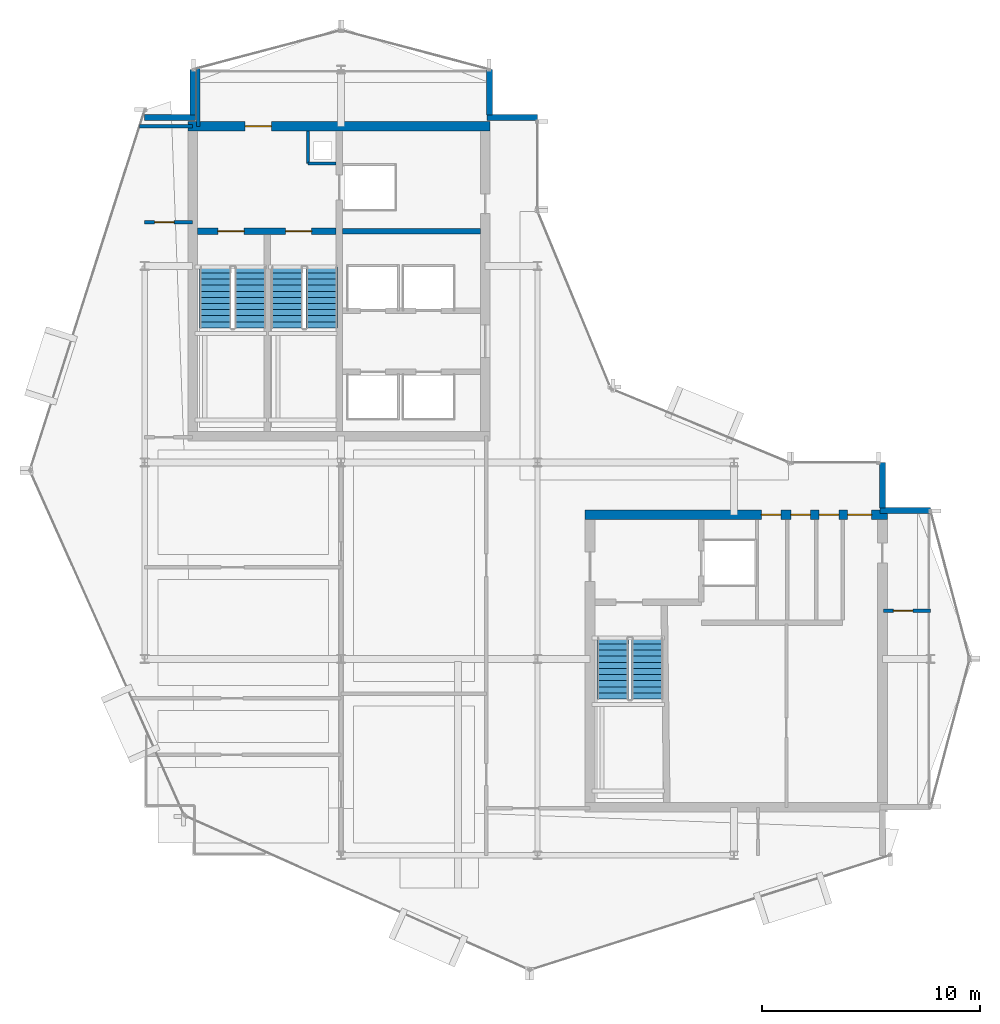
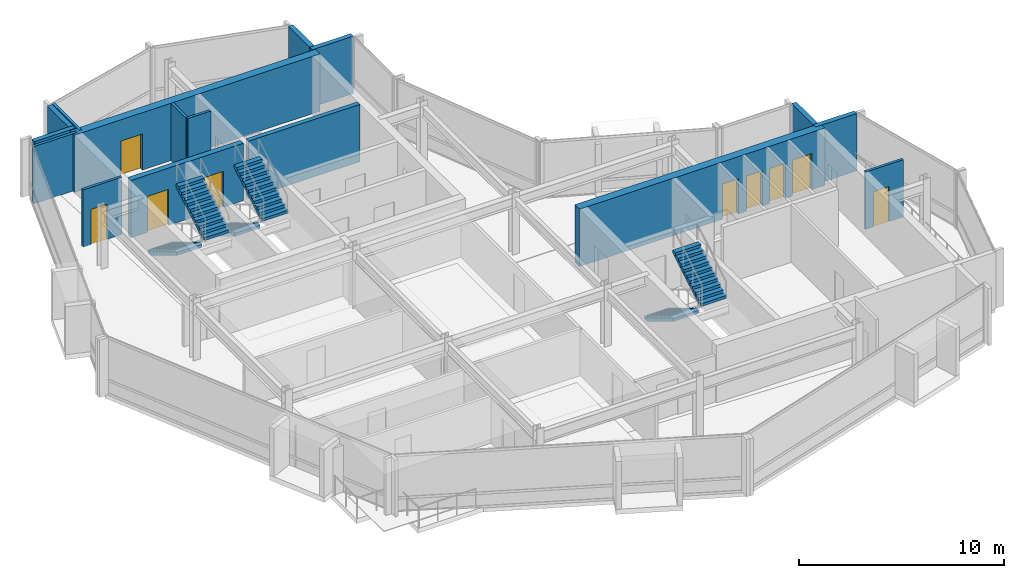
# One storey, part 15 of 19: 16 walls, 9 doors, 6 stair flights, 9 openings, 3 elements without a shape of their own.
"""IFC4 building model written with IfcOpenShell, lengths in metres."""

from ifc_helpers import new_model, si_unit, direction, frame, frame_2d, origin, place, context, subcontext, project, spatial, polyline, rectangle, outline, extrude, material, layer, layer_set, type_object, element, fill, aggregate, save


model = new_model("IFC4")

# Units and contexts
model_context = context("Model", 3, precision=1e-05, world=origin(), true_north=direction((0.0, 1.0)))
body_context = subcontext(model_context, "Body", "Model", "MODEL_VIEW")
ifc_project = project(units=[si_unit("LENGTHUNIT", "METRE"), si_unit("AREAUNIT", "SQUARE_METRE"), si_unit("VOLUMEUNIT", "CUBIC_METRE"), si_unit("PLANEANGLEUNIT", "RADIAN"), si_unit("MASSUNIT", "GRAM", prefix="KILO")], contexts=[model_context])

# Site, building, storey
site_placement = place(None, origin())
site = spatial("IfcSite", under=ifc_project, at=site_placement, CompositionType="ELEMENT")
building_placement = place(site_placement, origin())
building = spatial("IfcBuilding", under=site, at=building_placement, Name="Solvaryn Broadcast Tower", CompositionType="ELEMENT")
storey_placement = place(building_placement, frame((0.0, 0.0, 244.5)))
storey = spatial("IfcBuildingStorey", under=building, at=storey_placement, Name="L61", CompositionType="ELEMENT", Elevation=244.5)

# Wall, opening, door
ifc_material_1 = material(Name="Concrete f'c 70 MPa", Category="concrete")
ifc_layer_1 = layer(ifc_material_1, 0.449951171875)
ifc_layer_set_1 = layer_set([ifc_layer_1], Name="CW-SHEAR-450")
wall_type_1 = type_object("IfcWallType", Name="CW-SHEAR-450", PredefinedType="SHEAR", material=ifc_layer_set_1)
wall_1_placement = place(storey_placement, frame((24.824951171875, 42.39990234375, 0.0), z_axis=(0.0, 0.0, 1.0), x_axis=(-1.0, 0.0, 0.0)))
wall_1 = element("IfcWall", 1, at=wall_1_placement, inside=storey, type_object=wall_type_1, Name="L61 West Core North Shear Wall", PredefinedType="SHEAR", context=body_context, shape_type="SweptSolid", body=[
    extrude(rectangle(XDim=13.849853515625, YDim=0.449951171875, at=frame_2d((6.9248046875, 0.0))), origin(), (0.0, 0.0, 1.0), 3.419921875),
])
opening_1_placement = place(wall_1_placement, frame((10.02490234375, 0.0, 0.0)))
opening_1 = element("IfcOpeningElement", 2, at=opening_1_placement, cuts=wall_1, Name="Opening FD90A", PredefinedType="OPENING", context=body_context, shape_type="SweptSolid", body=[
    extrude(rectangle(XDim=1.199951171875, YDim=2.14990234375, at=frame_2d((0.60009765625, 1.074951171875))), frame((0.0, 0.235107421875, 0.0), z_axis=(0.0, -1.0, 0.0), x_axis=(1.0, 0.0, 0.0)), (0.0, 0.0, 1.0), 0.469970703125),
])
ifc_material_2 = material(Name="Flush Acoustic Steel and Timber Door Assembly", Category="steel")
door_type_1 = type_object("IfcDoorType", Name="FD90-STAIR-1200X2150", OperationType="NOTDEFINED", PredefinedType="DOOR", material=ifc_material_2)
door_1_placement = place(opening_1_placement, origin())
door_1 = element("IfcDoor", 3, at=door_1_placement, inside=storey, type_object=door_type_1, Name="L61 West FSAE Lobby Corridor Door", OperationType="SINGLE_SWING_LEFT", OverallHeight=2.14990234375, OverallWidth=1.199951171875, PredefinedType="DOOR", context=body_context, shape_type="SweptSolid", body=[
    extrude(rectangle(XDim=1.199951171875, YDim=2.14990234375, at=frame_2d((0.60009765625, 1.074951171875))), frame((0.0, 0.02490234375, 0.0), z_axis=(0.0, -1.0, 0.0), x_axis=(1.0, 0.0, 0.0)), (0.0, 0.0, 1.0), 0.050048828125),
])
fill(opening_1, door_1)

# Wall, openings, doors
wall_2_placement = place(storey_placement, frame((43.02490234375, 24.60009765625, 0.0), z_axis=(0.0, 0.0, 1.0), x_axis=(-1.0, 0.0, 0.0)))
wall_2 = element("IfcWall", 4, at=wall_2_placement, inside=storey, type_object=wall_type_1, Name="L61 East Core North Shear Wall", PredefinedType="SHEAR", context=body_context, shape_type="SweptSolid", body=[
    extrude(rectangle(XDim=13.849853515625, YDim=0.449951171875, at=frame_2d((6.9248046875, 0.0))), origin(), (0.0, 0.0, 1.0), 3.419921875),
])
opening_2_placement = place(wall_2_placement, frame((0.72509765625, 0.0, 0.0)))
opening_2 = element("IfcOpeningElement", 5, at=opening_2_placement, cuts=wall_2, Name="Opening FD90C", PredefinedType="OPENING", context=body_context, shape_type="SweptSolid", body=[
    extrude(rectangle(XDim=1.10009765625, YDim=2.14990234375, at=frame_2d((0.550048828125, 1.074951171875))), frame((0.0, 0.235107421875, 0.0), z_axis=(0.0, -1.0, 0.0), x_axis=(1.0, 0.0, 0.0)), (0.0, 0.0, 1.0), 0.469970703125),
])
opening_3_placement = place(wall_2_placement, frame((2.22509765625, 0.0, 0.0)))
opening_3 = element("IfcOpeningElement", 6, at=opening_3_placement, cuts=wall_2, Name="Opening FD60C", PredefinedType="OPENING", context=body_context, shape_type="SweptSolid", body=[
    extrude(rectangle(XDim=0.89990234375, YDim=2.10009765625, at=frame_2d((0.449951171875, 1.050048828125))), frame((0.0, 0.235107421875, 0.0), z_axis=(0.0, -1.0, 0.0), x_axis=(1.0, 0.0, 0.0)), (0.0, 0.0, 1.0), 0.469970703125),
])
opening_4_placement = place(wall_2_placement, frame((3.52490234375, 0.0, 0.0)))
opening_4 = element("IfcOpeningElement", 7, at=opening_4_placement, cuts=wall_2, Name="Opening FD60C", PredefinedType="OPENING", context=body_context, shape_type="SweptSolid", body=[
    extrude(rectangle(XDim=0.89990234375, YDim=2.10009765625, at=frame_2d((0.449951171875, 1.050048828125))), frame((0.0, 0.235107421875, 0.0), z_axis=(0.0, -1.0, 0.0), x_axis=(1.0, 0.0, 0.0)), (0.0, 0.0, 1.0), 0.469970703125),
])
opening_5_placement = place(wall_2_placement, frame((4.875, 0.0, 0.0)))
opening_5 = element("IfcOpeningElement", 8, at=opening_5_placement, cuts=wall_2, Name="Opening FD60C", PredefinedType="OPENING", context=body_context, shape_type="SweptSolid", body=[
    extrude(rectangle(XDim=0.89990234375, YDim=2.10009765625, at=frame_2d((0.449951171875, 1.050048828125))), frame((0.0, 0.235107421875, 0.0), z_axis=(0.0, -1.0, 0.0), x_axis=(1.0, 0.0, 0.0)), (0.0, 0.0, 1.0), 0.469970703125),
])
ifc_material_3 = material(Name="Flush Acoustic Steel and Timber Door Assembly", Category="steel")
door_type_2 = type_object("IfcDoorType", Name="FD60-SERV-900X2100", OperationType="NOTDEFINED", PredefinedType="DOOR", material=ifc_material_3)
door_2_placement = place(opening_3_placement, origin())
door_2 = element("IfcDoor", 9, at=door_2_placement, inside=storey, type_object=door_type_2, Name="L61 Core Wellness Room Door", OperationType="SINGLE_SWING_RIGHT", OverallHeight=2.10009765625, OverallWidth=0.89990234375, PredefinedType="DOOR", context=body_context, shape_type="SweptSolid", body=[
    extrude(rectangle(XDim=0.89990234375, YDim=2.10009765625, at=frame_2d((0.449951171875, 1.050048828125))), frame((0.0, 0.02490234375, 0.0), z_axis=(0.0, -1.0, 0.0), x_axis=(1.0, 0.0, 0.0)), (0.0, 0.0, 1.0), 0.050048828125),
])
fill(opening_3, door_2)
door_3_placement = place(opening_4_placement, origin())
door_3 = element("IfcDoor", 10, at=door_3_placement, inside=storey, type_object=door_type_2, Name="L61 Staff Restroom Door", OperationType="SINGLE_SWING_LEFT", OverallHeight=2.10009765625, OverallWidth=0.89990234375, PredefinedType="DOOR", context=body_context, shape_type="SweptSolid", body=[
    extrude(rectangle(XDim=0.89990234375, YDim=2.10009765625, at=frame_2d((0.449951171875, 1.050048828125))), frame((0.0, 0.02490234375, 0.0), z_axis=(0.0, -1.0, 0.0), x_axis=(1.0, 0.0, 0.0)), (0.0, 0.0, 1.0), 0.050048828125),
])
fill(opening_4, door_3)
door_4_placement = place(opening_5_placement, origin())
door_4 = element("IfcDoor", 11, at=door_4_placement, inside=storey, type_object=door_type_2, Name="L61 Accessible WC Door", OperationType="SINGLE_SWING_RIGHT", OverallHeight=2.10009765625, OverallWidth=0.89990234375, PredefinedType="DOOR", context=body_context, shape_type="SweptSolid", body=[
    extrude(rectangle(XDim=0.89990234375, YDim=2.10009765625, at=frame_2d((0.449951171875, 1.050048828125))), frame((0.0, 0.02490234375, 0.0), z_axis=(0.0, -1.0, 0.0), x_axis=(1.0, 0.0, 0.0)), (0.0, 0.0, 1.0), 0.050048828125),
])
fill(opening_5, door_4)
ifc_material_4 = material(Name="Flush Acoustic Steel and Timber Door Assembly", Category="steel")
door_type_3 = type_object("IfcDoorType", Name="FD90-PLANT-1100X2150", OperationType="NOTDEFINED", PredefinedType="DOOR", material=ifc_material_4)
door_5_placement = place(opening_2_placement, origin())
door_5 = element("IfcDoor", 12, at=door_5_placement, inside=storey, type_object=door_type_3, Name="L61 East Core Lobby Corridor Door", OperationType="SINGLE_SWING_LEFT", OverallHeight=2.14990234375, OverallWidth=1.10009765625, PredefinedType="DOOR", context=body_context, shape_type="SweptSolid", body=[
    extrude(rectangle(XDim=1.10009765625, YDim=2.14990234375, at=frame_2d((0.550048828125, 1.074951171875))), frame((0.0, 0.02490234375, 0.0), z_axis=(0.0, -1.0, 0.0), x_axis=(1.0, 0.0, 0.0)), (0.0, 0.0, 1.0), 0.050048828125),
])
fill(opening_2, door_5)

# Walls
ifc_material_5 = material(Name="Concrete f'c 50 MPa", Category="concrete")
ifc_layer_2 = layer(ifc_material_5, 0.260009765625)
ifc_layer_set_2 = layer_set([ifc_layer_2], Name="EW-PIER-260")
wall_type_2 = type_object("IfcWallType", Name="EW-PIER-260", PredefinedType="SOLIDWALL", material=ifc_layer_set_2)
wall_3_placement = place(storey_placement, frame((9.0, 42.800048828125, 0.0), z_axis=(0.0, 0.0, 1.0), x_axis=(1.0, 0.0, 0.0)))
element("IfcWall", 13, at=wall_3_placement, inside=storey, type_object=wall_type_2, Name="L61 Notched Corner Pier Wall NNW1", PredefinedType="SOLIDWALL", context=body_context, shape_type="SweptSolid", body=[
    extrude(rectangle(XDim=2.320068359375, YDim=0.260009765625, at=frame_2d((1.16015625, 0.0))), origin(), (0.0, 0.0, 1.0), 3.419921875),
])
for number, where, z_axis, x_axis, name in (
    (14, (11.199951171875, 42.919921875, 0.0), (0.0, 0.0, 1.0), (0.0, 1.0, 0.0), "L61 Notched Corner Pier Wall NNW2"),
    (15, (24.800048828125, 45.0, 0.0), (0.0, 0.0, 1.0), (0.0, -1.0, 0.0), "L61 Notched Corner Pier Wall NNE1"),
):
    element("IfcWall", number, at=place(storey_placement, frame(where, z_axis=z_axis, x_axis=x_axis)), inside=storey, type_object=wall_type_2, Name=name, PredefinedType="SOLIDWALL", context=body_context, shape_type="SweptSolid", body=[
        extrude(rectangle(XDim=2.080078125, YDim=0.260009765625, at=frame_2d((1.0400390625, 0.0))), origin(), (0.0, 0.0, 1.0), 3.419921875),
    ])
for number, where, z_axis, x_axis, name in (
    (16, (24.679931640625, 42.800048828125, 0.0), (0.0, 0.0, 1.0), (1.0, 0.0, 0.0), "L61 Notched Corner Pier Wall NNE2"),
    (17, (45.0, 24.800048828125, 0.0), (0.0, 0.0, 1.0), (-1.0, 0.0, 0.0), "L61 Notched Corner Pier Wall NEE1"),
):
    element("IfcWall", number, at=place(storey_placement, frame(where, z_axis=z_axis, x_axis=x_axis)), inside=storey, type_object=wall_type_2, Name=name, PredefinedType="SOLIDWALL", context=body_context, shape_type="SweptSolid", body=[
        extrude(rectangle(XDim=2.320068359375, YDim=0.260009765625, at=frame_2d((1.16015625, 0.0))), origin(), (0.0, 0.0, 1.0), 3.419921875),
    ])
wall_4_placement = place(storey_placement, frame((42.800048828125, 24.919921875, 0.0), z_axis=(0.0, 0.0, 1.0), x_axis=(0.0, 1.0, 0.0)))
element("IfcWall", 18, at=wall_4_placement, inside=storey, type_object=wall_type_2, Name="L61 Notched Corner Pier Wall NEE2", PredefinedType="SOLIDWALL", context=body_context, shape_type="SweptSolid", body=[
    extrude(rectangle(XDim=2.080078125, YDim=0.260009765625, at=frame_2d((1.0400390625, 0.0))), origin(), (0.0, 0.0, 1.0), 3.419921875),
])
ifc_material_6 = material(Name="Metal-Stud Service Core Partition")
ifc_layer_3 = layer(ifc_material_6, 0.14990234375)
ifc_layer_set_3 = layer_set([ifc_layer_3], Name="IW-PART-150")
wall_type_3 = type_object("IfcWallType", Name="IW-PART-150", PredefinedType="PARTITIONING", material=ifc_layer_set_3)
wall_5_placement = place(storey_placement, frame((16.47998046875, 40.699951171875, 0.0), z_axis=(0.0, 0.0, 1.0), x_axis=(1.0, 0.0, 0.0)))
element("IfcWall", 19, at=wall_5_placement, inside=storey, type_object=wall_type_3, Name="L61 West Core Riser Shaft South Wall", PredefinedType="PARTITIONING", context=body_context, shape_type="SweptSolid", body=[
    extrude(rectangle(XDim=1.2900390625, YDim=0.14990234375, at=frame_2d((0.64501953125, 0.0))), origin(), (0.0, 0.0, 1.0), 3.419921875),
])
wall_6_placement = place(storey_placement, frame((16.47998046875, 40.699951171875, 0.0), z_axis=(0.0, 0.0, 1.0), x_axis=(0.0, 1.0, 0.0)))
element("IfcWall", 20, at=wall_6_placement, inside=storey, type_object=wall_type_3, Name="L61 West Core Riser Shaft West Wall", PredefinedType="PARTITIONING", context=body_context, shape_type="SweptSolid", body=[
    extrude(rectangle(XDim=1.47509765625, YDim=0.14990234375, at=frame_2d((0.737548828125, 0.0))), origin(), (0.0, 0.0, 1.0), 3.419921875),
])

# Wall, opening, door
wall_7_placement = place(storey_placement, frame((9.0, 38.0, 0.0), z_axis=(0.0, 0.0, 1.0), x_axis=(1.0, 0.0, 0.0)))
wall_7 = element("IfcWall", 21, at=wall_7_placement, inside=storey, type_object=wall_type_3, Name="L61 Interior Partition IW-L61-WM-M", PredefinedType="PARTITIONING", context=body_context, shape_type="SweptSolid", body=[
    extrude(rectangle(XDim=2.199951171875, YDim=0.14990234375, at=frame_2d((1.10009765625, 0.0))), origin(), (0.0, 0.0, 1.0), 3.419921875),
])
opening_6_placement = place(wall_7_placement, frame((0.449951171875, 0.0, 0.0)))
opening_6 = element("IfcOpeningElement", 22, at=opening_6_placement, cuts=wall_7, Name="Opening FD60C", PredefinedType="OPENING", context=body_context, shape_type="SweptSolid", body=[
    extrude(rectangle(XDim=0.89990234375, YDim=2.10009765625, at=frame_2d((0.449951171875, 1.050048828125))), frame((0.0, 0.0849609375, 0.0), z_axis=(0.0, -1.0, 0.0), x_axis=(1.0, 0.0, 0.0)), (0.0, 0.0, 1.0), 0.169921875),
])
door_6_placement = place(opening_6_placement, origin())
door_6 = element("IfcDoor", 23, at=door_6_placement, inside=storey, type_object=door_type_2, Name="L61 Door DR-L61-WM1", OperationType="SINGLE_SWING_RIGHT", OverallHeight=2.10009765625, OverallWidth=0.89990234375, PredefinedType="DOOR", context=body_context, shape_type="SweptSolid", body=[
    extrude(rectangle(XDim=0.89990234375, YDim=2.10009765625, at=frame_2d((0.449951171875, 1.050048828125))), frame((0.0, 0.02490234375, 0.0), z_axis=(0.0, -1.0, 0.0), x_axis=(1.0, 0.0, 0.0)), (0.0, 0.0, 1.0), 0.050048828125),
])
fill(opening_6, door_6)

wall_8_placement = place(storey_placement, frame((42.85009765625, 20.199951171875, 0.0), z_axis=(0.0, 0.0, 1.0), x_axis=(1.0, 0.0, 0.0)))
wall_8 = element("IfcWall", 24, at=wall_8_placement, inside=storey, type_object=wall_type_3, Name="L61 Interior Partition IW-L61-E4M", PredefinedType="PARTITIONING", context=body_context, shape_type="SweptSolid", body=[
    extrude(rectangle(XDim=2.14990234375, YDim=0.14990234375, at=frame_2d((1.074951171875, 0.0))), origin(), (0.0, 0.0, 1.0), 3.419921875),
])
opening_7_placement = place(wall_8_placement, frame((0.449951171875, 0.0, 0.0)))
opening_7 = element("IfcOpeningElement", 25, at=opening_7_placement, cuts=wall_8, Name="Opening FD60C", PredefinedType="OPENING", context=body_context, shape_type="SweptSolid", body=[
    extrude(rectangle(XDim=0.89990234375, YDim=2.10009765625, at=frame_2d((0.449951171875, 1.050048828125))), frame((0.0, 0.0849609375, 0.0), z_axis=(0.0, -1.0, 0.0), x_axis=(1.0, 0.0, 0.0)), (0.0, 0.0, 1.0), 0.169921875),
])
door_7_placement = place(opening_7_placement, origin())
door_7 = element("IfcDoor", 26, at=door_7_placement, inside=storey, type_object=door_type_2, Name="L61 Door DR-L61-E4M", OperationType="SINGLE_SWING_RIGHT", OverallHeight=2.10009765625, OverallWidth=0.89990234375, PredefinedType="DOOR", context=body_context, shape_type="SweptSolid", body=[
    extrude(rectangle(XDim=0.89990234375, YDim=2.10009765625, at=frame_2d((0.449951171875, 1.050048828125))), frame((0.0, 0.02490234375, 0.0), z_axis=(0.0, -1.0, 0.0), x_axis=(1.0, 0.0, 0.0)), (0.0, 0.0, 1.0), 0.050048828125),
])
fill(opening_7, door_7)

# Walls
ifc_material_7 = material(Name="Metal-Stud Gypsum Office Partition")
ifc_layer_4 = layer(ifc_material_7, 0.159912109375)
ifc_layer_set_4 = layer_set([ifc_layer_4], Name="IW-PART-160")
wall_type_4 = type_object("IfcWallType", Name="IW-PART-160", PredefinedType="PARTITIONING", material=ifc_layer_set_4)
wall_9_placement = place(storey_placement, frame((8.760986328125, 42.39990234375, 0.0), z_axis=(0.0, 0.0, 1.0), x_axis=(1.0, 0.0, 0.0)))
element("IfcWall", 27, at=wall_9_placement, inside=storey, type_object=wall_type_4, Name="L61 Interior Partition IW-L61-WM-N", PredefinedType="PARTITIONING", context=body_context, shape_type="SweptSolid", body=[
    extrude(rectangle(XDim=2.43896484375, YDim=0.159912109375, at=frame_2d((1.219482421875, 0.0))), origin(), (0.0, 0.0, 1.0), 3.419921875),
])
wall_10_placement = place(storey_placement, frame((11.449951171875, 42.39990234375, 0.0), z_axis=(0.0, 0.0, 1.0), x_axis=(0.0, 1.0, 0.0)))
element("IfcWall", 28, at=wall_10_placement, inside=storey, type_object=wall_type_4, Name="L61 Interior Partition IW-L61-WM-E", PredefinedType="PARTITIONING", context=body_context, shape_type="SweptSolid", body=[
    extrude(rectangle(XDim=2.666015625, YDim=0.159912109375, at=frame_2d((1.3330078125, 0.0))), origin(), (0.0, 0.0, 1.0), 3.419921875),
])
ifc_material_8 = material(Name="Concrete f'c 60 MPa", Category="concrete")
ifc_layer_5 = layer(ifc_material_8, 0.25)
ifc_layer_set_5 = layer_set([ifc_layer_5], Name="SW-SHAFT-250")
wall_type_5 = type_object("IfcWallType", Name="SW-SHAFT-250", PredefinedType="PARTITIONING", material=ifc_layer_set_5)
wall_11_placement = place(storey_placement, frame((18.070068359375, 37.60009765625, 0.0), z_axis=(0.0, 0.0, 1.0), x_axis=(1.0, 0.0, 0.0)))
element("IfcWall", 29, at=wall_11_placement, inside=storey, type_object=wall_type_5, Name="L61 West Core FSAE Hoistway Front Wall", PredefinedType="PARTITIONING", context=body_context, shape_type="SweptSolid", body=[
    extrude(rectangle(XDim=6.304931640625, YDim=0.25, at=frame_2d((3.15234375, 0.0))), origin(), (0.0, 0.0, 1.0), 3.419921875),
])

# Wall, openings, doors
ifc_material_9 = material(Name="Concrete f'c 70 MPa", Category="concrete")
ifc_layer_6 = layer(ifc_material_9, 0.300048828125)
ifc_layer_set_6 = layer_set([ifc_layer_6], Name="SW-SHAFT-300")
wall_type_6 = type_object("IfcWallType", Name="SW-SHAFT-300", PredefinedType="SHEAR", material=ifc_layer_set_6)
wall_12_placement = place(storey_placement, frame((17.77001953125, 37.60009765625, 0.0), z_axis=(0.0, 0.0, 1.0), x_axis=(-1.0, 0.0, 0.0)))
wall_12 = element("IfcWall", 30, at=wall_12_placement, inside=storey, type_object=wall_type_6, Name="L61 West Core FSAE Lobby South Wall", PredefinedType="SHEAR", context=body_context, shape_type="SweptSolid", body=[
    extrude(rectangle(XDim=6.344970703125, YDim=0.300048828125, at=frame_2d((3.17236328125, 0.0))), origin(), (0.0, 0.0, 1.0), 3.419921875),
])
opening_8_placement = place(wall_12_placement, frame((4.219970703125, 0.0, 0.0)))
opening_8 = element("IfcOpeningElement", 31, at=opening_8_placement, cuts=wall_12, Name="Opening FD90A", PredefinedType="OPENING", context=body_context, shape_type="SweptSolid", body=[
    extrude(rectangle(XDim=1.199951171875, YDim=2.14990234375, at=frame_2d((0.60009765625, 1.074951171875))), frame((0.0, 0.159912109375, 0.0), z_axis=(0.0, -1.0, 0.0), x_axis=(1.0, 0.0, 0.0)), (0.0, 0.0, 1.0), 0.320068359375),
])
opening_9_placement = place(wall_12_placement, frame((1.1201171875, 0.0, 0.0)))
opening_9 = element("IfcOpeningElement", 32, at=opening_9_placement, cuts=wall_12, Name="Opening FD90A", PredefinedType="OPENING", context=body_context, shape_type="SweptSolid", body=[
    extrude(rectangle(XDim=1.199951171875, YDim=2.14990234375, at=frame_2d((0.60009765625, 1.074951171875))), frame((0.0, 0.159912109375, 0.0), z_axis=(0.0, -1.0, 0.0), x_axis=(1.0, 0.0, 0.0)), (0.0, 0.0, 1.0), 0.320068359375),
])
door_8_placement = place(opening_8_placement, origin())
door_8 = element("IfcDoor", 33, at=door_8_placement, inside=storey, type_object=door_type_1, Name="L61 Stair 1 Fire Door", OperationType="SINGLE_SWING_LEFT", OverallHeight=2.14990234375, OverallWidth=1.199951171875, PredefinedType="DOOR", context=body_context, shape_type="SweptSolid", body=[
    extrude(rectangle(XDim=1.199951171875, YDim=2.14990234375, at=frame_2d((0.60009765625, 1.074951171875))), frame((0.0, 0.02490234375, 0.0), z_axis=(0.0, -1.0, 0.0), x_axis=(1.0, 0.0, 0.0)), (0.0, 0.0, 1.0), 0.050048828125),
])
fill(opening_8, door_8)
door_9_placement = place(opening_9_placement, origin())
door_9 = element("IfcDoor", 34, at=door_9_placement, inside=storey, type_object=door_type_1, Name="L61 Stair 2 Fire Door", OperationType="SINGLE_SWING_RIGHT", OverallHeight=2.14990234375, OverallWidth=1.199951171875, PredefinedType="DOOR", context=body_context, shape_type="SweptSolid", body=[
    extrude(rectangle(XDim=1.199951171875, YDim=2.14990234375, at=frame_2d((0.60009765625, 1.074951171875))), frame((0.0, 0.02490234375, 0.0), z_axis=(0.0, -1.0, 0.0), x_axis=(1.0, 0.0, 0.0)), (0.0, 0.0, 1.0), 0.050048828125),
])
fill(opening_9, door_9)

# Stair, stair flights
ifc_material_10 = material(Name="Concrete f'c 60 MPa", Category="concrete")
stair_type = type_object("IfcStairType", Name="ST-CORE", PredefinedType="HALF_TURN_STAIR", material=ifc_material_10)
stair_1_placement = place(storey_placement, origin())
stair_1 = element("IfcStair", 35, at=stair_1_placement, inside=storey, type_object=stair_type, Name="L61 ST1", PredefinedType="HALF_TURN_STAIR")
ifc_material_11 = material(Name="Concrete f'c 60 MPa", Category="concrete")
ifc_layer_7 = layer(ifc_material_11, 0.159912109375)
ifc_layer_set_7 = layer_set([ifc_layer_7], Name="SF-CORE")
stair_flight_type = type_object("IfcStairFlightType", Name="SF-CORE", PredefinedType="STRAIGHT", material=ifc_layer_set_7)
stair_flight_1_placement = place(storey_placement, frame((12.239990234375, 35.9599609375, 0.0), z_axis=(0.0, 0.0, 1.0), x_axis=(0.0, -1.0, 0.0)))
stair_flight_1 = element("IfcStairFlight", 36, at=stair_flight_1_placement, type_object=stair_flight_type, Name="ST1 flight 1", NumberOfRisers=11, NumberOfTreads=10, PredefinedType="STRAIGHT", RiserHeight=0.168181818, TreadLength=0.28, context=body_context, shape_type="SweptSolid", body=[
    extrude(outline(polyline([(0.0, 0.0), (0.0, 0.168212890625), (0.280029296875, 0.168212890625), (0.280029296875, 0.33642578125), (0.56005859375, 0.33642578125), (0.56005859375, 0.504638671875), (0.840087890625, 0.504638671875), (0.840087890625, 0.672607421875), (1.1201171875, 0.672607421875), (1.1201171875, 0.8408203125), (1.39990234375, 0.8408203125), (1.39990234375, 1.009033203125), (1.679931640625, 1.009033203125), (1.679931640625, 1.17724609375), (1.9599609375, 1.17724609375), (1.9599609375, 1.345458984375), (2.239990234375, 1.345458984375), (2.239990234375, 1.513671875), (2.52001953125, 1.513671875), (2.52001953125, 1.681884765625), (2.800048828125, 1.681884765625), (2.800048828125, 1.85009765625), (2.800048828125, 1.5068359375), (0.291015625, 0.0), (0.0, 0.0)])), frame((0.0, 0.719970703125, 0.0), z_axis=(0.0, -1.0, 0.0), x_axis=(1.0, 0.0, 0.0)), (0.0, 0.0, 1.0), 1.43994140625),
])
stair_flight_2_placement = place(storey_placement, frame((13.830078125, 33.159912109375, 1.85009765625), z_axis=(0.0, 0.0, 1.0), x_axis=(0.0, 1.0, 0.0)))
stair_flight_2 = element("IfcStairFlight", 37, at=stair_flight_2_placement, type_object=stair_flight_type, Name="ST1 flight 2", NumberOfRisers=11, NumberOfTreads=10, PredefinedType="STRAIGHT", RiserHeight=0.168181818, TreadLength=0.28, context=body_context, shape_type="SweptSolid", body=[
    extrude(outline(polyline([(0.0, 0.0), (0.0, 0.168212890625), (0.280029296875, 0.168212890625), (0.280029296875, 0.33642578125), (0.56005859375, 0.33642578125), (0.56005859375, 0.504638671875), (0.840087890625, 0.504638671875), (0.840087890625, 0.672607421875), (1.1201171875, 0.672607421875), (1.1201171875, 0.8408203125), (1.39990234375, 0.8408203125), (1.39990234375, 1.009033203125), (1.679931640625, 1.009033203125), (1.679931640625, 1.17724609375), (1.9599609375, 1.17724609375), (1.9599609375, 1.345458984375), (2.239990234375, 1.345458984375), (2.239990234375, 1.513671875), (2.52001953125, 1.513671875), (2.52001953125, 1.681884765625), (2.800048828125, 1.681884765625), (2.800048828125, 1.85009765625), (2.800048828125, 1.5068359375), (0.291015625, 0.0), (0.0, 0.0)])), frame((0.0, 0.719970703125, 0.0), z_axis=(0.0, -1.0, 0.0), x_axis=(1.0, 0.0, 0.0)), (0.0, 0.0, 1.0), 1.43994140625),
])
aggregate(stair_1, [stair_flight_1, stair_flight_2])

stair_2_placement = place(storey_placement, origin())
stair_2 = element("IfcStair", 38, at=stair_2_placement, inside=storey, type_object=stair_type, Name="L61 ST2", PredefinedType="HALF_TURN_STAIR")
stair_flight_3_placement = place(storey_placement, frame((15.52001953125, 35.9599609375, 0.0), z_axis=(0.0, 0.0, 1.0), x_axis=(0.0, -1.0, 0.0)))
stair_flight_3 = element("IfcStairFlight", 39, at=stair_flight_3_placement, type_object=stair_flight_type, Name="ST2 flight 1", NumberOfRisers=11, NumberOfTreads=10, PredefinedType="STRAIGHT", RiserHeight=0.168181818, TreadLength=0.28, context=body_context, shape_type="SweptSolid", body=[
    extrude(outline(polyline([(0.0, 0.0), (0.0, 0.168212890625), (0.280029296875, 0.168212890625), (0.280029296875, 0.33642578125), (0.56005859375, 0.33642578125), (0.56005859375, 0.504638671875), (0.840087890625, 0.504638671875), (0.840087890625, 0.672607421875), (1.1201171875, 0.672607421875), (1.1201171875, 0.8408203125), (1.39990234375, 0.8408203125), (1.39990234375, 1.009033203125), (1.679931640625, 1.009033203125), (1.679931640625, 1.17724609375), (1.9599609375, 1.17724609375), (1.9599609375, 1.345458984375), (2.239990234375, 1.345458984375), (2.239990234375, 1.513671875), (2.52001953125, 1.513671875), (2.52001953125, 1.681884765625), (2.800048828125, 1.681884765625), (2.800048828125, 1.85009765625), (2.800048828125, 1.5068359375), (0.291015625, 0.0), (0.0, 0.0)])), frame((0.0, 0.719970703125, 0.0), z_axis=(0.0, -1.0, 0.0), x_axis=(1.0, 0.0, 0.0)), (0.0, 0.0, 1.0), 1.43994140625),
])
stair_flight_4_placement = place(storey_placement, frame((17.110107421875, 33.159912109375, 1.85009765625), z_axis=(0.0, 0.0, 1.0), x_axis=(0.0, 1.0, 0.0)))
stair_flight_4 = element("IfcStairFlight", 40, at=stair_flight_4_placement, type_object=stair_flight_type, Name="ST2 flight 2", NumberOfRisers=11, NumberOfTreads=10, PredefinedType="STRAIGHT", RiserHeight=0.168181818, TreadLength=0.28, context=body_context, shape_type="SweptSolid", body=[
    extrude(outline(polyline([(0.0, 0.0), (0.0, 0.168212890625), (0.280029296875, 0.168212890625), (0.280029296875, 0.33642578125), (0.56005859375, 0.33642578125), (0.56005859375, 0.504638671875), (0.840087890625, 0.504638671875), (0.840087890625, 0.672607421875), (1.1201171875, 0.672607421875), (1.1201171875, 0.8408203125), (1.39990234375, 0.8408203125), (1.39990234375, 1.009033203125), (1.679931640625, 1.009033203125), (1.679931640625, 1.17724609375), (1.9599609375, 1.17724609375), (1.9599609375, 1.345458984375), (2.239990234375, 1.345458984375), (2.239990234375, 1.513671875), (2.52001953125, 1.513671875), (2.52001953125, 1.681884765625), (2.800048828125, 1.681884765625), (2.800048828125, 1.85009765625), (2.800048828125, 1.5068359375), (0.291015625, 0.0), (0.0, 0.0)])), frame((0.0, 0.719970703125, 0.0), z_axis=(0.0, -1.0, 0.0), x_axis=(1.0, 0.0, 0.0)), (0.0, 0.0, 1.0), 1.43994140625),
])
aggregate(stair_2, [stair_flight_3, stair_flight_4])

stair_3_placement = place(storey_placement, origin())
stair_3 = element("IfcStair", 41, at=stair_3_placement, inside=storey, type_object=stair_type, Name="L61 ST3", PredefinedType="HALF_TURN_STAIR")
stair_flight_5_placement = place(storey_placement, frame((30.43994140625, 18.9599609375, 0.0), z_axis=(0.0, 0.0, 1.0), x_axis=(0.0, -1.0, 0.0)))
stair_flight_5 = element("IfcStairFlight", 42, at=stair_flight_5_placement, type_object=stair_flight_type, Name="ST3 flight 1", NumberOfRisers=11, NumberOfTreads=10, PredefinedType="STRAIGHT", RiserHeight=0.168181818, TreadLength=0.28, context=body_context, shape_type="SweptSolid", body=[
    extrude(outline(polyline([(0.0, 0.0), (0.0, 0.168212890625), (0.280029296875, 0.168212890625), (0.280029296875, 0.33642578125), (0.56005859375, 0.33642578125), (0.56005859375, 0.504638671875), (0.840087890625, 0.504638671875), (0.840087890625, 0.672607421875), (1.1201171875, 0.672607421875), (1.1201171875, 0.8408203125), (1.39990234375, 0.8408203125), (1.39990234375, 1.009033203125), (1.679931640625, 1.009033203125), (1.679931640625, 1.17724609375), (1.9599609375, 1.17724609375), (1.9599609375, 1.345458984375), (2.239990234375, 1.345458984375), (2.239990234375, 1.513671875), (2.52001953125, 1.513671875), (2.52001953125, 1.681884765625), (2.800048828125, 1.681884765625), (2.800048828125, 1.85009765625), (2.800048828125, 1.5068359375), (0.291015625, 0.0), (0.0, 0.0)])), frame((0.0, 0.719970703125, 0.0), z_axis=(0.0, -1.0, 0.0), x_axis=(1.0, 0.0, 0.0)), (0.0, 0.0, 1.0), 1.43994140625),
])
stair_flight_6_placement = place(storey_placement, frame((32.030029296875, 16.159912109375, 1.85009765625), z_axis=(0.0, 0.0, 1.0), x_axis=(0.0, 1.0, 0.0)))
stair_flight_6 = element("IfcStairFlight", 43, at=stair_flight_6_placement, type_object=stair_flight_type, Name="ST3 flight 2", NumberOfRisers=11, NumberOfTreads=10, PredefinedType="STRAIGHT", RiserHeight=0.168181818, TreadLength=0.28, context=body_context, shape_type="SweptSolid", body=[
    extrude(outline(polyline([(0.0, 0.0), (0.0, 0.168212890625), (0.280029296875, 0.168212890625), (0.280029296875, 0.33642578125), (0.56005859375, 0.33642578125), (0.56005859375, 0.504638671875), (0.840087890625, 0.504638671875), (0.840087890625, 0.672607421875), (1.1201171875, 0.672607421875), (1.1201171875, 0.8408203125), (1.39990234375, 0.8408203125), (1.39990234375, 1.009033203125), (1.679931640625, 1.009033203125), (1.679931640625, 1.17724609375), (1.9599609375, 1.17724609375), (1.9599609375, 1.345458984375), (2.239990234375, 1.345458984375), (2.239990234375, 1.513671875), (2.52001953125, 1.513671875), (2.52001953125, 1.681884765625), (2.800048828125, 1.681884765625), (2.800048828125, 1.85009765625), (2.800048828125, 1.5068359375), (0.291015625, 0.0), (0.0, 0.0)])), frame((0.0, 0.719970703125, 0.0), z_axis=(0.0, -1.0, 0.0), x_axis=(1.0, 0.0, 0.0)), (0.0, 0.0, 1.0), 1.43994140625),
])
aggregate(stair_3, [stair_flight_5, stair_flight_6])

save(model, "model.ifc")
